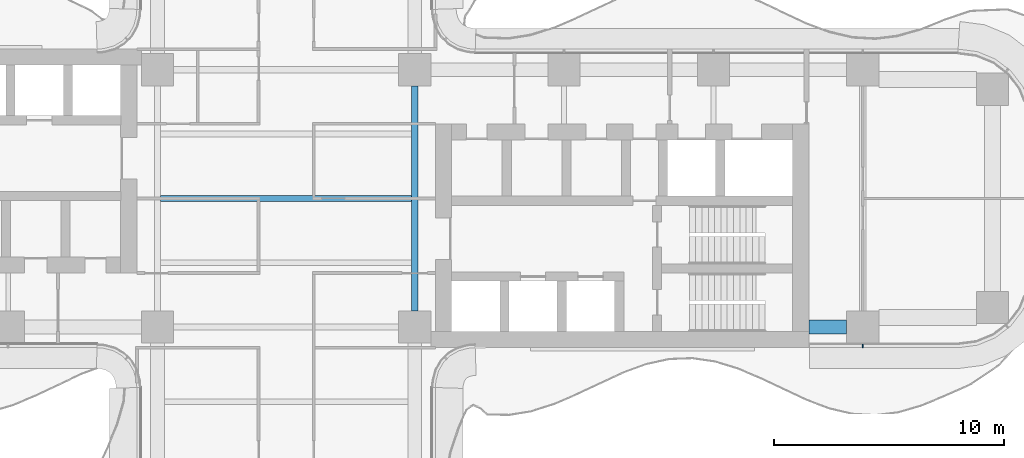
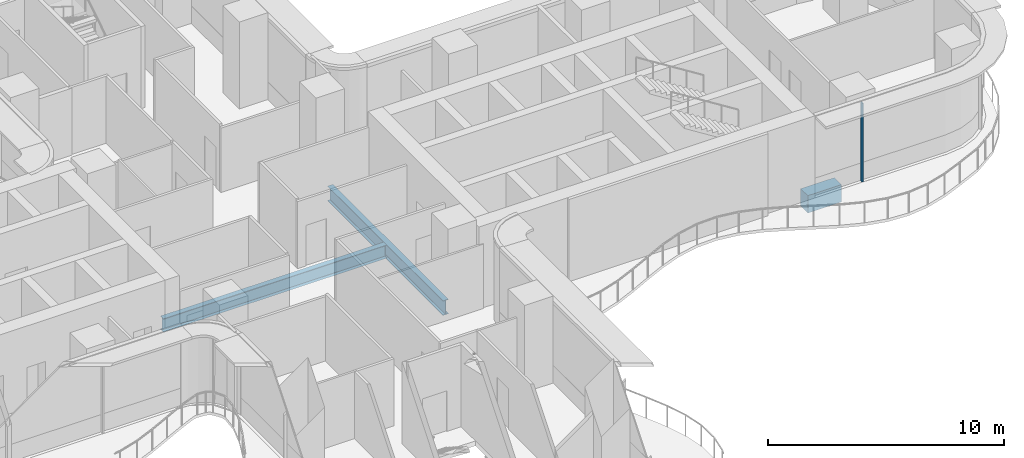
# One storey, part 6 of 22: 3 beams, 1 member, 1 element without a shape of its own.
"""IFC4 building model written with IfcOpenShell, lengths in metres."""

from ifc_helpers import new_model, si_unit, direction, frame, origin, origin_2d, place, context, subcontext, project, spatial, rectangle, i_section, extrude, source, transform, mapped, material, layer, layer_set, material_profile, profile_set, type_object, element, aggregate, save


model = new_model("IFC4")

# Units and contexts
model_context = context("Model", 3, precision=1e-05, world=origin(), true_north=direction((0.0, 1.0)))
body_context = subcontext(model_context, "Body", "Model", "MODEL_VIEW")
ifc_project = project(units=[si_unit("LENGTHUNIT", "METRE"), si_unit("AREAUNIT", "SQUARE_METRE"), si_unit("VOLUMEUNIT", "CUBIC_METRE"), si_unit("PLANEANGLEUNIT", "RADIAN"), si_unit("MASSUNIT", "GRAM", prefix="KILO")], contexts=[model_context])

# Site, building, storey
site_placement = place(None, origin())
site = spatial("IfcSite", under=ifc_project, at=site_placement, CompositionType="ELEMENT")
building_placement = place(site_placement, origin())
building = spatial("IfcBuilding", under=site, at=building_placement, Name="Trellis Farm Tower", CompositionType="ELEMENT")
storey_placement = place(building_placement, frame((0.0, 0.0, 70.0)))
storey = spatial("IfcBuildingStorey", under=building, at=storey_placement, Name="L14", CompositionType="ELEMENT", Elevation=70.0)

# Beams
ifc_material_1 = material(Name="Steel S355", Category="steel")
ifc_material_profile_1 = material_profile(ifc_material_1, i_section(OverallWidth=0.253662109375, OverallDepth=0.68359375, WebThickness=0.012451171875, FlangeThickness=0.021728515625, FilletRadius=0.01513671875, at=origin_2d()), Name="UB 686x254x140")
ifc_profile_set_1 = profile_set([ifc_material_profile_1], Name="Steel S355")
beam_type_1 = type_object("IfcBeamType", Name="UB 686x254x140 joist", PredefinedType="JOIST", material=ifc_profile_set_1)
shared_shape_1 = source(origin(), body_context, "Body", "SweptSolid", [
    extrude(i_section(OverallWidth=0.253662109375, OverallDepth=0.68359375, WebThickness=0.012451171875, FlangeThickness=0.021728515625, FilletRadius=0.01513671875, at=origin_2d()), origin(), (0.0, 0.0, 1.0), 10.93310546875),
])
beam_1_placement = place(storey_placement, frame((-5.466552734375, 0.0, -0.591796875), z_axis=(1.0, 0.0, 0.0), x_axis=(0.0, 1.0, 0.0)))
element("IfcBeam", 1, at=beam_1_placement, inside=storey, type_object=beam_type_1, Name="Floor beam", PredefinedType="JOIST", context=body_context, shape_type="MappedRepresentation", body=[
    mapped(shared_shape_1, transform((0.0, 0.0, 0.0))),
])
ifc_material_profile_2 = material_profile(ifc_material_1, i_section(OverallWidth=0.2666015625, OverallDepth=0.76220703125, WebThickness=0.014404296875, FlangeThickness=0.021484375, FilletRadius=0.0166015625, at=origin_2d()), Name="UB 762x267x173")
ifc_profile_set_2 = profile_set([ifc_material_profile_2], Name="Steel S355")
beam_type_2 = type_object("IfcBeamType", Name="UB 762x267x173", PredefinedType="BEAM", material=ifc_profile_set_2)
shared_shape_2 = source(origin(), body_context, "Body", "SweptSolid", [
    extrude(i_section(OverallWidth=0.2666015625, OverallDepth=0.76220703125, WebThickness=0.014404296875, FlangeThickness=0.021484375, FilletRadius=0.0166015625, at=origin_2d()), origin(), (0.0, 0.0, 1.0), 9.7998046875),
])
beam_2_placement = place(storey_placement, frame((5.60009765625, -4.89990234375, -0.631103515625), z_axis=(0.0, 1.0, 0.0), x_axis=(-1.0, 0.0, 0.0)))
element("IfcBeam", 2, at=beam_2_placement, inside=storey, type_object=beam_type_2, Name="Girder", PredefinedType="BEAM", context=body_context, shape_type="MappedRepresentation", body=[
    mapped(shared_shape_2, transform((0.0, 0.0, 0.0))),
])
ifc_material_2 = material(Name="Concrete C60/75", Category="concrete")
ifc_material_profile_3 = material_profile(ifc_material_2, rectangle(XDim=0.60009765625, YDim=0.89990234375, at=origin_2d()), Name="RC spandrel beam 600x900 C60/75")
ifc_profile_set_3 = profile_set([ifc_material_profile_3], Name="Concrete C60/75")
beam_type_3 = type_object("IfcBeamType", Name="RC spandrel beam 600x900 C60/75", PredefinedType="SPANDREL", material=ifc_profile_set_3)
shared_shape_3 = source(origin(), body_context, "Body", "SweptSolid", [
    extrude(rectangle(XDim=0.60009765625, YDim=0.89990234375, at=origin_2d()), origin(), (0.0, 0.0, 1.0), 1.64990234375),
])
beam_3_placement = place(storey_placement, frame((22.75, -5.60009765625, -0.699951171875), z_axis=(1.0, 0.0, 0.0), x_axis=(0.0, 1.0, 0.0)))
element("IfcBeam", 3, at=beam_3_placement, inside=storey, type_object=beam_type_3, Name="Girder", PredefinedType="SPANDREL", context=body_context, shape_type="MappedRepresentation", body=[
    mapped(shared_shape_3, transform((0.0, 0.0, 0.0))),
])

# Curtain wall, member
ifc_material_3 = material(Name="Aluminium and glass curtain wall", Category="aluminium")
ifc_layer = layer(ifc_material_3, 0.18994140625)
ifc_layer_set = layer_set([ifc_layer], Name="RIBBON CURTAIN WALL CW1")
curtain_wall_type = type_object("IfcCurtainWallType", Name="RIBBON CURTAIN WALL CW1", PredefinedType="NOTDEFINED", material=ifc_layer_set)
curtain_wall_placement = place(storey_placement, origin())
curtain_wall = element("IfcCurtainWall", 4, at=curtain_wall_placement, inside=storey, type_object=curtain_wall_type, Name="CW1 006", PredefinedType="NOTDEFINED")
ifc_material_4 = material(Name="Aluminium extrusion 6063-T6", Category="aluminium")
ifc_material_profile_4 = material_profile(ifc_material_4, rectangle(XDim=0.06005859375, YDim=0.14990234375, at=origin_2d()), Name="MULLION 60x150")
ifc_profile_set_4 = profile_set([ifc_material_profile_4], Name="Aluminium extrusion 6063-T6")
member_type = type_object("IfcMemberType", Name="CW1 MULLION 60x150", PredefinedType="MULLION", material=ifc_profile_set_4)
shared_shape_4 = source(origin(), body_context, "Body", "SweptSolid", [
    extrude(rectangle(XDim=0.06005859375, YDim=0.14990234375, at=origin_2d()), origin(), (0.0, 0.0, 1.0), 4.070068359375),
])
member_placement = place(storey_placement, frame((25.10009765625, -6.425048828125, 0.0), z_axis=(0.0, 0.0, 1.0), x_axis=(1.0, 0.0, 0.0)))
member = element("IfcMember", 5, at=member_placement, type_object=member_type, Name="MU1 006-01", PredefinedType="MULLION", context=body_context, shape_type="MappedRepresentation", body=[
    mapped(shared_shape_4, transform((0.0, 0.0, 0.0))),
])
aggregate(curtain_wall, [member])

save(model, "model.ifc")
